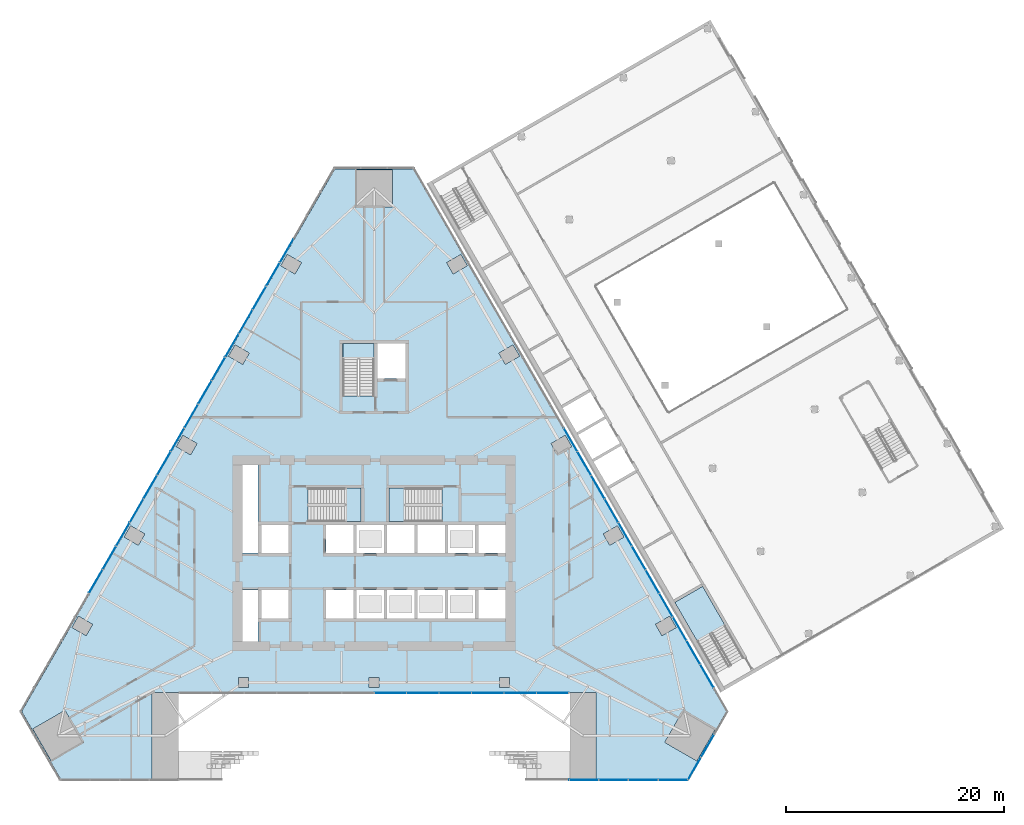
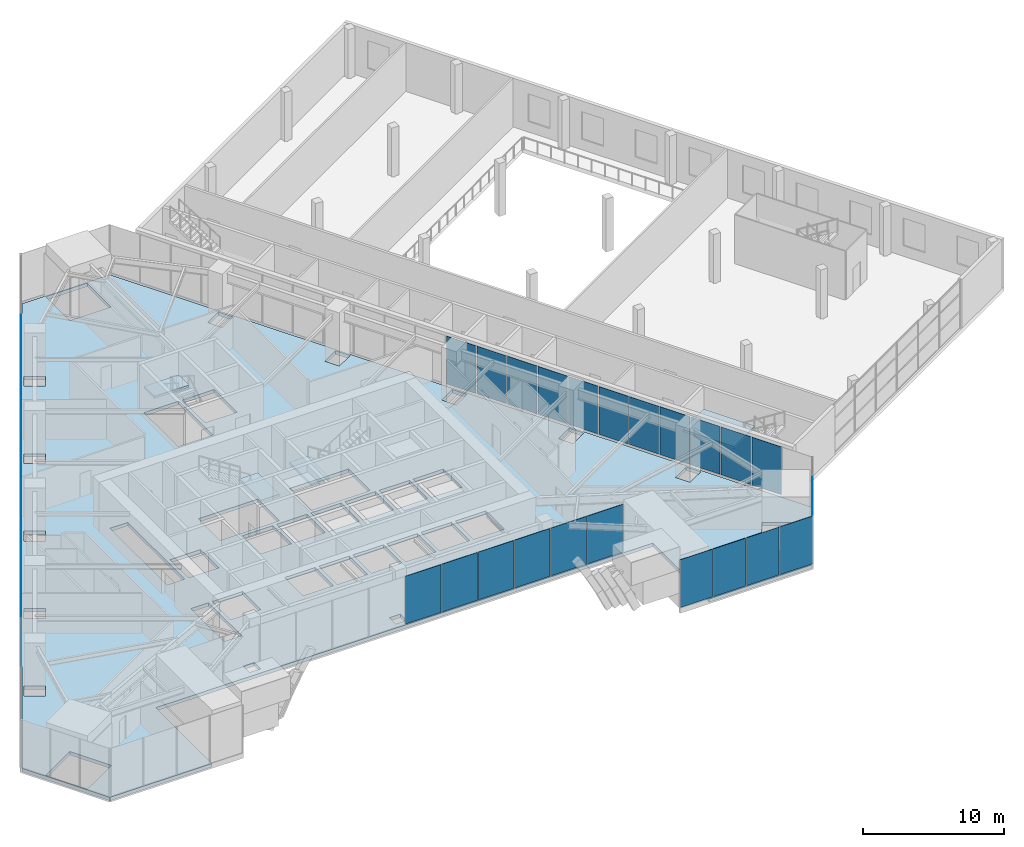
# One storey, part 15 of 30: 38 plates, 5 slabs, 9 elements without a shape of their own.
"""IFC4 building model written with IfcOpenShell, lengths in metres."""

from ifc_helpers import new_model, si_unit, direction, frame, origin, place, context, subcontext, project, spatial, polyline, outline, extrude, material, layer, layer_set, type_object, element, aggregate, save


model = new_model("IFC4")

# Units and contexts
model_context = context("Model", 3, precision=1e-05, world=origin(), true_north=direction((0.0, 1.0)))
body_context = subcontext(model_context, "Body", "Model", "MODEL_VIEW")
ifc_project = project(units=[si_unit("LENGTHUNIT", "METRE"), si_unit("AREAUNIT", "SQUARE_METRE"), si_unit("VOLUMEUNIT", "CUBIC_METRE"), si_unit("PLANEANGLEUNIT", "RADIAN"), si_unit("MASSUNIT", "GRAM", prefix="KILO")], contexts=[model_context])

# Site, building, storey
site_placement = place(None, origin())
site = spatial("IfcSite", under=ifc_project, at=site_placement, CompositionType="ELEMENT")
building_placement = place(site_placement, origin())
building = spatial("IfcBuilding", under=site, at=building_placement, Name="Firuza Gate Tower and Library", CompositionType="ELEMENT")
storey_placement = place(building_placement, frame((0.0, 0.0, 12.60009765625)))
storey = spatial("IfcBuildingStorey", under=building, at=storey_placement, Name="L02", CompositionType="ELEMENT", Elevation=12.60009765625)

# Curtain wall, plates
ifc_material_1 = material(Name="Aluminium 6063-T6", Category="aluminium")
ifc_layer_1 = layer(ifc_material_1, 0.14990234375)
ifc_layer_set_1 = layer_set([ifc_layer_1], Name="Stick curtain wall, gate lobby")
curtain_wall_type_1 = type_object("IfcCurtainWallType", Name="Stick curtain wall, gate lobby", PredefinedType="NOTDEFINED", material=ifc_layer_set_1)
placement_1 = place(storey_placement, origin())
curtain_wall_1 = element("IfcCurtainWall", 1, at=placement_1, inside=storey, type_object=curtain_wall_type_1, Name="CW7 L02 gate lobby", PredefinedType="NOTDEFINED")
ifc_material_2 = material(Name="Fritted glass", Category="glass")
ifc_layer_2 = layer(ifc_material_2, 0.030029296875)
ifc_layer_set_2 = layer_set([ifc_layer_2], Name="Clear glass unit, podium")
plate_type = type_object("IfcPlateType", Name="Clear glass unit, podium", PredefinedType="CURTAIN_PANEL", material=ifc_layer_set_2)
plate_1_placement = place(storey_placement, frame((75.0400390625, 62.12548828125, 0.14990234375), z_axis=(0.0, -1.0, 0.0), x_axis=(1.0, 0.0, 0.0)))
plate_1 = element("IfcPlate", 2, at=plate_1_placement, type_object=plate_type, Name="Glass unit", PredefinedType="CURTAIN_PANEL", context=body_context, shape_type="SweptSolid", body=[
    extrude(outline(polyline([(0.0, 0.0), (2.907470703125, 0.0), (2.907470703125, 4.14990234375), (0.0, 4.14990234375), (0.0, 0.0)])), origin(), (0.0, 0.0, -1.0), 0.030029296875),
])
plate_2_placement = place(storey_placement, frame((78.027587890625, 62.12548828125, 0.14990234375), z_axis=(0.0, -1.0, 0.0), x_axis=(1.0, 0.0, 0.0)))
plate_2 = element("IfcPlate", 3, at=plate_2_placement, type_object=plate_type, Name="Glass unit", PredefinedType="CURTAIN_PANEL", context=body_context, shape_type="SweptSolid", body=[
    extrude(outline(polyline([(0.0, 0.0), (2.907470703125, 0.0), (2.907470703125, 4.14990234375), (0.0, 4.14990234375), (0.0, 0.0)])), origin(), (0.0, 0.0, -1.0), 0.030029296875),
])
plate_3_placement = place(storey_placement, frame((81.014892578125, 62.12548828125, 0.14990234375), z_axis=(0.0, -1.0, 0.0), x_axis=(1.0, 0.0, 0.0)))
plate_3 = element("IfcPlate", 4, at=plate_3_placement, type_object=plate_type, Name="Glass unit", PredefinedType="CURTAIN_PANEL", context=body_context, shape_type="SweptSolid", body=[
    extrude(outline(polyline([(0.0, 0.0), (2.90771484375, 0.0), (2.90771484375, 4.14990234375), (0.0, 4.14990234375), (0.0, 0.0)])), origin(), (0.0, 0.0, -1.0), 0.030029296875),
])
plate_4_placement = place(storey_placement, frame((84.00244140625, 62.12548828125, 0.14990234375), z_axis=(0.0, -1.0, 0.0), x_axis=(1.0, 0.0, 0.0)))
plate_4 = element("IfcPlate", 5, at=plate_4_placement, type_object=plate_type, Name="Glass unit", PredefinedType="CURTAIN_PANEL", context=body_context, shape_type="SweptSolid", body=[
    extrude(outline(polyline([(0.0, 0.0), (2.907470703125, 0.0), (2.907470703125, 4.14990234375), (0.0, 4.14990234375), (0.0, 0.0)])), origin(), (0.0, 0.0, -1.0), 0.030029296875),
])
plate_5_placement = place(storey_placement, frame((86.989990234375, 62.12548828125, 0.14990234375), z_axis=(0.0, -1.0, 0.0), x_axis=(1.0, 0.0, 0.0)))
plate_5 = element("IfcPlate", 6, at=plate_5_placement, type_object=plate_type, Name="Glass unit", PredefinedType="CURTAIN_PANEL", context=body_context, shape_type="SweptSolid", body=[
    extrude(outline(polyline([(0.0, 0.0), (2.907470703125, 0.0), (2.907470703125, 4.14990234375), (0.0, 4.14990234375), (0.0, 0.0)])), origin(), (0.0, 0.0, -1.0), 0.030029296875),
])
plate_6_placement = place(storey_placement, frame((89.9775390625, 62.12548828125, 0.14990234375), z_axis=(0.0, -1.0, 0.0), x_axis=(1.0, 0.0, 0.0)))
plate_6 = element("IfcPlate", 7, at=plate_6_placement, type_object=plate_type, Name="Glass unit", PredefinedType="CURTAIN_PANEL", context=body_context, shape_type="SweptSolid", body=[
    extrude(outline(polyline([(0.0, 0.0), (2.907470703125, 0.0), (2.907470703125, 4.14990234375), (0.0, 4.14990234375), (0.0, 0.0)])), origin(), (0.0, 0.0, -1.0), 0.030029296875),
])
aggregate(curtain_wall_1, [plate_1, plate_2, plate_3, plate_4, plate_5, plate_6])

ifc_material_3 = material(Name="Aluminium 6063-T6", Category="aluminium")
ifc_layer_3 = layer(ifc_material_3, 0.14990234375)
ifc_layer_set_3 = layer_set([ifc_layer_3], Name="Stick curtain wall, podium")
curtain_wall_type_2 = type_object("IfcCurtainWallType", Name="Stick curtain wall, podium", PredefinedType="NOTDEFINED", material=ifc_layer_set_3)
curtain_wall_2 = element("IfcCurtainWall", 8, at=placement_1, inside=storey, type_object=curtain_wall_type_2, Name="CW5 L02 S", PredefinedType="NOTDEFINED")
plate_7_placement = place(storey_placement, frame((92.965087890625, 54.12548828125, 0.14990234375), z_axis=(0.0, -1.0, 0.0), x_axis=(1.0, 0.0, 0.0)))
plate_7 = element("IfcPlate", 9, at=plate_7_placement, type_object=plate_type, Name="Glass unit", PredefinedType="CURTAIN_PANEL", context=body_context, shape_type="SweptSolid", body=[
    extrude(outline(polyline([(0.0, 0.0), (2.6494140625, 0.0), (2.6494140625, 4.14990234375), (0.0, 4.14990234375), (0.0, 0.0)])), origin(), (0.0, 0.0, -1.0), 0.030029296875),
])
plate_8_placement = place(storey_placement, frame((95.694580078125, 54.12548828125, 0.14990234375), z_axis=(0.0, -1.0, 0.0), x_axis=(1.0, 0.0, 0.0)))
plate_8 = element("IfcPlate", 10, at=plate_8_placement, type_object=plate_type, Name="Glass unit", PredefinedType="CURTAIN_PANEL", context=body_context, shape_type="SweptSolid", body=[
    extrude(outline(polyline([(0.0, 0.0), (2.649658203125, 0.0), (2.649658203125, 4.14990234375), (0.0, 4.14990234375), (0.0, 0.0)])), origin(), (0.0, 0.0, -1.0), 0.030029296875),
])
plate_9_placement = place(storey_placement, frame((98.424072265625, 54.12548828125, 0.14990234375), z_axis=(0.0, -1.0, 0.0), x_axis=(1.0, 0.0, 0.0)))
plate_9 = element("IfcPlate", 11, at=plate_9_placement, type_object=plate_type, Name="Glass unit", PredefinedType="CURTAIN_PANEL", context=body_context, shape_type="SweptSolid", body=[
    extrude(outline(polyline([(0.0, 0.0), (2.649658203125, 0.0), (2.649658203125, 4.14990234375), (0.0, 4.14990234375), (0.0, 0.0)])), origin(), (0.0, 0.0, -1.0), 0.030029296875),
])
plate_10_placement = place(storey_placement, frame((101.15380859375, 54.12548828125, 0.14990234375), z_axis=(0.0, -1.0, 0.0), x_axis=(1.0, 0.0, 0.0)))
plate_10 = element("IfcPlate", 12, at=plate_10_placement, type_object=plate_type, Name="Glass unit", PredefinedType="CURTAIN_PANEL", context=body_context, shape_type="SweptSolid", body=[
    extrude(outline(polyline([(0.0, 0.0), (2.6494140625, 0.0), (2.6494140625, 4.14990234375), (0.0, 4.14990234375), (0.0, 0.0)])), origin(), (0.0, 0.0, -1.0), 0.030029296875),
])
aggregate(curtain_wall_2, [plate_7, plate_8, plate_9, plate_10])

curtain_wall_3 = element("IfcCurtainWall", 13, at=placement_1, inside=storey, type_object=curtain_wall_type_2, Name="CW5 L02 SE", PredefinedType="NOTDEFINED")
plate_11_placement = place(storey_placement, frame((103.876220703125, 54.16748046875, 0.14990234375), z_axis=(0.866002109674, -0.500040344412, 0.0), x_axis=(0.500040344412, 0.866002109674, 0.0)))
plate_11 = element("IfcPlate", 14, at=plate_11_placement, type_object=plate_type, Name="Glass unit", PredefinedType="CURTAIN_PANEL", context=body_context, shape_type="SweptSolid", body=[
    extrude(outline(polyline([(0.0, 0.0), (2.348931561223719, 0.0), (2.348931561223719, 4.14990234375), (0.0, 4.14990234375), (0.0, 0.0)])), origin(), (0.0, 0.0, -1.0), 0.030029296875),
])
plate_12_placement = place(storey_placement, frame((105.0908203125, 56.27099609375, 0.14990234375), z_axis=(0.866047116916, -0.499962389866, 0.0), x_axis=(0.499962389866, 0.866047116916, 0.0)))
plate_12 = element("IfcPlate", 15, at=plate_12_placement, type_object=plate_type, Name="Glass unit", PredefinedType="CURTAIN_PANEL", context=body_context, shape_type="SweptSolid", body=[
    extrude(outline(polyline([(0.0, 0.0), (2.3488094905771977, 0.0), (2.3488094905771977, 4.149902343750001), (0.0, 4.149902343750001), (0.0, 0.0)])), origin(), (0.0, 0.0, -1.0), 0.030029296875),
])
aggregate(curtain_wall_3, [plate_11, plate_12])

curtain_wall_4 = element("IfcCurtainWall", 16, at=placement_1, inside=storey, type_object=curtain_wall_type_2, Name="CW5 L02 E", PredefinedType="NOTDEFINED")
plate_13_placement = place(storey_placement, frame((106.2255859375, 62.6650390625, 0.14990234375), z_axis=(0.866013120021, 0.500021275498, 0.0), x_axis=(-0.500021275498, 0.866013120021, 0.0)))
plate_13 = element("IfcPlate", 17, at=plate_13_placement, type_object=plate_type, Name="Glass unit", PredefinedType="CURTAIN_PANEL", context=body_context, shape_type="SweptSolid", body=[
    extrude(outline(polyline([(0.0, 0.0), (2.428119337352694, 0.0), (2.428119337352694, 4.149902343749999), (0.0, 4.149902343749999), (0.0, 0.0)])), origin(), (0.0, 0.0, -1.0), 0.030029296875),
])
plate_14_placement = place(storey_placement, frame((104.971435546875, 64.837158203125, 0.14990234375), z_axis=(0.866013120021, 0.500021275498, 0.0), x_axis=(-0.500021275498, 0.866013120021, 0.0)))
plate_14 = element("IfcPlate", 18, at=plate_14_placement, type_object=plate_type, Name="Glass unit", PredefinedType="CURTAIN_PANEL", context=body_context, shape_type="SweptSolid", body=[
    extrude(outline(polyline([(0.0, 0.0), (2.428119337352694, 0.0), (2.428119337352694, 4.149902343749999), (0.0, 4.149902343749999), (0.0, 0.0)])), origin(), (0.0, 0.0, -1.0), 0.030029296875),
])
plate_15_placement = place(storey_placement, frame((103.717529296875, 67.00927734375, 0.14990234375), z_axis=(0.866013120021, 0.500021275498, 0.0), x_axis=(-0.500021275498, 0.866013120021, 0.0)))
plate_15 = element("IfcPlate", 19, at=plate_15_placement, type_object=plate_type, Name="Glass unit", PredefinedType="CURTAIN_PANEL", context=body_context, shape_type="SweptSolid", body=[
    extrude(outline(polyline([(0.0, 0.0), (2.428119337352694, 0.0), (2.428119337352694, 4.149902343749999), (0.0, 4.149902343749999), (0.0, 0.0)])), origin(), (0.0, 0.0, -1.0), 0.030029296875),
])
plate_16_placement = place(storey_placement, frame((102.46337890625, 69.18115234375, 0.14990234375), z_axis=(0.86603825568, 0.499977739203, 0.0), x_axis=(-0.499977739203, 0.86603825568, 0.0)))
plate_16 = element("IfcPlate", 20, at=plate_16_placement, type_object=plate_type, Name="Glass unit", PredefinedType="CURTAIN_PANEL", context=body_context, shape_type="SweptSolid", body=[
    extrude(outline(polyline([(0.0, 0.0), (2.428330769405526, 0.0), (2.428330769405526, 4.14990234375), (0.0, 4.14990234375), (0.0, 0.0)])), origin(), (0.0, 0.0, -1.0), 0.030029296875),
])
plate_17_placement = place(storey_placement, frame((101.209228515625, 71.353271484375, 0.14990234375), z_axis=(0.866056658381, 0.499945861543, 0.0), x_axis=(-0.499945861543, 0.866056658381, 0.0)))
plate_17 = element("IfcPlate", 21, at=plate_17_placement, type_object=plate_type, Name="Glass unit", PredefinedType="CURTAIN_PANEL", context=body_context, shape_type="SweptSolid", body=[
    extrude(outline(polyline([(0.0, 0.0), (2.4279972710515545, 0.0), (2.4279972710515545, 4.14990234375), (0.0, 4.14990234375), (0.0, 0.0)])), origin(), (0.0, 0.0, -1.0), 0.030029296875),
])
plate_18_placement = place(storey_placement, frame((99.955322265625, 73.525390625, 0.14990234375), z_axis=(0.866013120021, 0.500021275498, 0.0), x_axis=(-0.500021275498, 0.866013120021, 0.0)))
plate_18 = element("IfcPlate", 22, at=plate_18_placement, type_object=plate_type, Name="Glass unit", PredefinedType="CURTAIN_PANEL", context=body_context, shape_type="SweptSolid", body=[
    extrude(outline(polyline([(0.0, 0.0), (2.428119337352694, 0.0), (2.428119337352694, 4.149902343749999), (0.0, 4.149902343749999), (0.0, 0.0)])), origin(), (0.0, 0.0, -1.0), 0.030029296875),
])
plate_19_placement = place(storey_placement, frame((98.701171875, 75.697509765625, 0.14990234375), z_axis=(0.866013120021, 0.500021275498, 0.0), x_axis=(-0.500021275498, 0.866013120021, 0.0)))
plate_19 = element("IfcPlate", 23, at=plate_19_placement, type_object=plate_type, Name="Glass unit", PredefinedType="CURTAIN_PANEL", context=body_context, shape_type="SweptSolid", body=[
    extrude(outline(polyline([(0.0, 0.0), (2.428119337352694, 0.0), (2.428119337352694, 4.149902343749999), (0.0, 4.149902343749999), (0.0, 0.0)])), origin(), (0.0, 0.0, -1.0), 0.030029296875),
])
plate_20_placement = place(storey_placement, frame((97.447021484375, 77.86962890625, 0.14990234375), z_axis=(0.866056658381, 0.499945861543, 0.0), x_axis=(-0.499945861543, 0.866056658381, 0.0)))
plate_20 = element("IfcPlate", 24, at=plate_20_placement, type_object=plate_type, Name="Glass unit", PredefinedType="CURTAIN_PANEL", context=body_context, shape_type="SweptSolid", body=[
    extrude(outline(polyline([(0.0, 0.0), (2.4279972710515545, 0.0), (2.4279972710515545, 4.14990234375), (0.0, 4.14990234375), (0.0, 0.0)])), origin(), (0.0, 0.0, -1.0), 0.030029296875),
])
plate_21_placement = place(storey_placement, frame((96.193115234375, 80.041748046875, 0.14990234375), z_axis=(0.866013120021, 0.500021275498, 0.0), x_axis=(-0.500021275498, 0.866013120021, 0.0)))
plate_21 = element("IfcPlate", 25, at=plate_21_placement, type_object=plate_type, Name="Glass unit", PredefinedType="CURTAIN_PANEL", context=body_context, shape_type="SweptSolid", body=[
    extrude(outline(polyline([(0.0, 0.0), (2.428119337352694, 0.0), (2.428119337352694, 4.149902343749999), (0.0, 4.149902343749999), (0.0, 0.0)])), origin(), (0.0, 0.0, -1.0), 0.030029296875),
])
plate_22_placement = place(storey_placement, frame((94.93896484375, 82.2138671875, 0.14990234375), z_axis=(0.866013120021, 0.500021275498, 0.0), x_axis=(-0.500021275498, 0.866013120021, 0.0)))
plate_22 = element("IfcPlate", 26, at=plate_22_placement, type_object=plate_type, Name="Glass unit", PredefinedType="CURTAIN_PANEL", context=body_context, shape_type="SweptSolid", body=[
    extrude(outline(polyline([(0.0, 0.0), (2.428119337352694, 0.0), (2.428119337352694, 4.149902343749999), (0.0, 4.149902343749999), (0.0, 0.0)])), origin(), (0.0, 0.0, -1.0), 0.030029296875),
])
plate_23_placement = place(storey_placement, frame((93.68505859375, 84.385986328125, 0.14990234375), z_axis=(0.866013120021, 0.500021275498, 0.0), x_axis=(-0.500021275498, 0.866013120021, 0.0)))
plate_23 = element("IfcPlate", 27, at=plate_23_placement, type_object=plate_type, Name="Glass unit", PredefinedType="CURTAIN_PANEL", context=body_context, shape_type="SweptSolid", body=[
    extrude(outline(polyline([(0.0, 0.0), (2.428119337352694, 0.0), (2.428119337352694, 4.149902343749999), (0.0, 4.149902343749999), (0.0, 0.0)])), origin(), (0.0, 0.0, -1.0), 0.030029296875),
])
aggregate(curtain_wall_4, [plate_13, plate_14, plate_15, plate_16, plate_17, plate_18, plate_19, plate_20, plate_21, plate_22, plate_23])

curtain_wall_5 = element("IfcCurtainWall", 28, at=placement_1, inside=storey, type_object=curtain_wall_type_2, Name="CW5 L02 W", PredefinedType="NOTDEFINED")
plate_24_placement = place(storey_placement, frame((67.5615234375, 103.865478515625, 0.14990234375), z_axis=(-0.866013120021, 0.500021275498, 0.0), x_axis=(-0.500021275498, -0.866013120021, 0.0)))
plate_24 = element("IfcPlate", 29, at=plate_24_placement, type_object=plate_type, Name="Glass unit", PredefinedType="CURTAIN_PANEL", context=body_context, shape_type="SweptSolid", body=[
    extrude(outline(polyline([(0.0, 0.0), (2.428119337352694, 0.0), (2.428119337352694, 4.149902343749999), (0.0, 4.149902343749999), (0.0, 0.0)])), origin(), (0.0, 0.0, -1.0), 0.030029296875),
])
plate_25_placement = place(storey_placement, frame((66.307373046875, 101.693359375, 0.14990234375), z_axis=(-0.866056658381, 0.499945861543, 0.0), x_axis=(-0.499945861543, -0.866056658381, 0.0)))
plate_25 = element("IfcPlate", 30, at=plate_25_placement, type_object=plate_type, Name="Glass unit", PredefinedType="CURTAIN_PANEL", context=body_context, shape_type="SweptSolid", body=[
    extrude(outline(polyline([(0.0, 0.0), (2.4279972710515545, 0.0), (2.4279972710515545, 4.14990234375), (0.0, 4.14990234375), (0.0, 0.0)])), origin(), (0.0, 0.0, -1.0), 0.030029296875),
])
plate_26_placement = place(storey_placement, frame((65.053466796875, 99.521240234375, 0.14990234375), z_axis=(-0.866013120021, 0.500021275498, 0.0), x_axis=(-0.500021275498, -0.866013120021, 0.0)))
plate_26 = element("IfcPlate", 31, at=plate_26_placement, type_object=plate_type, Name="Glass unit", PredefinedType="CURTAIN_PANEL", context=body_context, shape_type="SweptSolid", body=[
    extrude(outline(polyline([(0.0, 0.0), (2.428119337352694, 0.0), (2.428119337352694, 4.149902343749999), (0.0, 4.149902343749999), (0.0, 0.0)])), origin(), (0.0, 0.0, -1.0), 0.030029296875),
])
plate_27_placement = place(storey_placement, frame((63.79931640625, 97.34912109375, 0.14990234375), z_axis=(-0.866013120021, 0.500021275498, 0.0), x_axis=(-0.500021275498, -0.866013120021, 0.0)))
plate_27 = element("IfcPlate", 32, at=plate_27_placement, type_object=plate_type, Name="Glass unit", PredefinedType="CURTAIN_PANEL", context=body_context, shape_type="SweptSolid", body=[
    extrude(outline(polyline([(0.0, 0.0), (2.428119337352694, 0.0), (2.428119337352694, 4.149902343749999), (0.0, 4.149902343749999), (0.0, 0.0)])), origin(), (0.0, 0.0, -1.0), 0.030029296875),
])
plate_28_placement = place(storey_placement, frame((62.54541015625, 95.177001953125, 0.14990234375), z_axis=(-0.866013120021, 0.500021275498, 0.0), x_axis=(-0.500021275498, -0.866013120021, 0.0)))
plate_28 = element("IfcPlate", 33, at=plate_28_placement, type_object=plate_type, Name="Glass unit", PredefinedType="CURTAIN_PANEL", context=body_context, shape_type="SweptSolid", body=[
    extrude(outline(polyline([(0.0, 0.0), (2.428119337352694, 0.0), (2.428119337352694, 4.149902343749999), (0.0, 4.149902343749999), (0.0, 0.0)])), origin(), (0.0, 0.0, -1.0), 0.030029296875),
])
plate_29_placement = place(storey_placement, frame((61.291259765625, 93.0048828125, 0.14990234375), z_axis=(-0.866013120021, 0.500021275498, 0.0), x_axis=(-0.500021275498, -0.866013120021, 0.0)))
plate_29 = element("IfcPlate", 34, at=plate_29_placement, type_object=plate_type, Name="Glass unit", PredefinedType="CURTAIN_PANEL", context=body_context, shape_type="SweptSolid", body=[
    extrude(outline(polyline([(0.0, 0.0), (2.428119337352694, 0.0), (2.428119337352694, 4.149902343749999), (0.0, 4.149902343749999), (0.0, 0.0)])), origin(), (0.0, 0.0, -1.0), 0.030029296875),
])
plate_30_placement = place(storey_placement, frame((60.037109375, 90.8330078125, 0.14990234375), z_axis=(-0.866081787721, 0.499902327438, 0.0), x_axis=(-0.499902327438, -0.866081787721, 0.0)))
plate_30 = element("IfcPlate", 35, at=plate_30_placement, type_object=plate_type, Name="Glass unit", PredefinedType="CURTAIN_PANEL", context=body_context, shape_type="SweptSolid", body=[
    extrude(outline(polyline([(0.0, 0.0), (2.428208713733097, 0.0), (2.428208713733097, 4.14990234375), (0.0, 4.14990234375), (0.0, 0.0)])), origin(), (0.0, 0.0, -1.0), 0.030029296875),
])
plate_31_placement = place(storey_placement, frame((58.783203125, 88.660888671875, 0.14990234375), z_axis=(-0.866013120021, 0.500021275498, 0.0), x_axis=(-0.500021275498, -0.866013120021, 0.0)))
plate_31 = element("IfcPlate", 36, at=plate_31_placement, type_object=plate_type, Name="Glass unit", PredefinedType="CURTAIN_PANEL", context=body_context, shape_type="SweptSolid", body=[
    extrude(outline(polyline([(0.0, 0.0), (2.428119337352694, 0.0), (2.428119337352694, 4.149902343749999), (0.0, 4.149902343749999), (0.0, 0.0)])), origin(), (0.0, 0.0, -1.0), 0.030029296875),
])
plate_32_placement = place(storey_placement, frame((57.529052734375, 86.48876953125, 0.14990234375), z_axis=(-0.866013120021, 0.500021275498, 0.0), x_axis=(-0.500021275498, -0.866013120021, 0.0)))
plate_32 = element("IfcPlate", 37, at=plate_32_placement, type_object=plate_type, Name="Glass unit", PredefinedType="CURTAIN_PANEL", context=body_context, shape_type="SweptSolid", body=[
    extrude(outline(polyline([(0.0, 0.0), (2.428119337352694, 0.0), (2.428119337352694, 4.149902343749999), (0.0, 4.149902343749999), (0.0, 0.0)])), origin(), (0.0, 0.0, -1.0), 0.030029296875),
])
plate_33_placement = place(storey_placement, frame((56.275146484375, 84.316650390625, 0.14990234375), z_axis=(-0.866013120021, 0.500021275498, 0.0), x_axis=(-0.500021275498, -0.866013120021, 0.0)))
plate_33 = element("IfcPlate", 38, at=plate_33_placement, type_object=plate_type, Name="Glass unit", PredefinedType="CURTAIN_PANEL", context=body_context, shape_type="SweptSolid", body=[
    extrude(outline(polyline([(0.0, 0.0), (2.428119337352694, 0.0), (2.428119337352694, 4.149902343749999), (0.0, 4.149902343749999), (0.0, 0.0)])), origin(), (0.0, 0.0, -1.0), 0.030029296875),
])
plate_34_placement = place(storey_placement, frame((55.02099609375, 82.14453125, 0.14990234375), z_axis=(-0.866013120021, 0.500021275498, 0.0), x_axis=(-0.500021275498, -0.866013120021, 0.0)))
plate_34 = element("IfcPlate", 39, at=plate_34_placement, type_object=plate_type, Name="Glass unit", PredefinedType="CURTAIN_PANEL", context=body_context, shape_type="SweptSolid", body=[
    extrude(outline(polyline([(0.0, 0.0), (2.428119337352694, 0.0), (2.428119337352694, 4.149902343749999), (0.0, 4.149902343749999), (0.0, 0.0)])), origin(), (0.0, 0.0, -1.0), 0.030029296875),
])
plate_35_placement = place(storey_placement, frame((53.766845703125, 79.972412109375, 0.14990234375), z_axis=(-0.866056658381, 0.499945861543, 0.0), x_axis=(-0.499945861543, -0.866056658381, 0.0)))
plate_35 = element("IfcPlate", 40, at=plate_35_placement, type_object=plate_type, Name="Glass unit", PredefinedType="CURTAIN_PANEL", context=body_context, shape_type="SweptSolid", body=[
    extrude(outline(polyline([(0.0, 0.0), (2.4279972710515545, 0.0), (2.4279972710515545, 4.14990234375), (0.0, 4.14990234375), (0.0, 0.0)])), origin(), (0.0, 0.0, -1.0), 0.030029296875),
])
plate_36_placement = place(storey_placement, frame((52.512939453125, 77.80029296875, 0.14990234375), z_axis=(-0.866013120021, 0.500021275498, 0.0), x_axis=(-0.500021275498, -0.866013120021, 0.0)))
plate_36 = element("IfcPlate", 41, at=plate_36_placement, type_object=plate_type, Name="Glass unit", PredefinedType="CURTAIN_PANEL", context=body_context, shape_type="SweptSolid", body=[
    extrude(outline(polyline([(0.0, 0.0), (2.428119337352694, 0.0), (2.428119337352694, 4.149902343749999), (0.0, 4.149902343749999), (0.0, 0.0)])), origin(), (0.0, 0.0, -1.0), 0.030029296875),
])
plate_37_placement = place(storey_placement, frame((51.2587890625, 75.628173828125, 0.14990234375), z_axis=(-0.866013120021, 0.500021275498, 0.0), x_axis=(-0.500021275498, -0.866013120021, 0.0)))
plate_37 = element("IfcPlate", 42, at=plate_37_placement, type_object=plate_type, Name="Glass unit", PredefinedType="CURTAIN_PANEL", context=body_context, shape_type="SweptSolid", body=[
    extrude(outline(polyline([(0.0, 0.0), (2.428119337352694, 0.0), (2.428119337352694, 4.149902343749999), (0.0, 4.149902343749999), (0.0, 0.0)])), origin(), (0.0, 0.0, -1.0), 0.030029296875),
])
plate_38_placement = place(storey_placement, frame((50.004638671875, 73.4560546875, 0.14990234375), z_axis=(-0.866056658381, 0.499945861543, 0.0), x_axis=(-0.499945861543, -0.866056658381, 0.0)))
plate_38 = element("IfcPlate", 43, at=plate_38_placement, type_object=plate_type, Name="Glass unit", PredefinedType="CURTAIN_PANEL", context=body_context, shape_type="SweptSolid", body=[
    extrude(outline(polyline([(0.0, 0.0), (2.4279972710515545, 0.0), (2.4279972710515545, 4.14990234375), (0.0, 4.14990234375), (0.0, 0.0)])), origin(), (0.0, 0.0, -1.0), 0.030029296875),
])
aggregate(curtain_wall_5, [plate_24, plate_25, plate_26, plate_27, plate_28, plate_29, plate_30, plate_31, plate_32, plate_33, plate_34, plate_35, plate_36, plate_37, plate_38])

# Slab
ifc_material_4 = material(Name="Concrete C40/50", Category="concrete")
ifc_layer_4 = layer(ifc_material_4, 0.300048828125)
ifc_layer_set_4 = layer_set([ifc_layer_4], Name="Composite floor slab 300 C40/50")
slab_type_1 = type_object("IfcSlabType", Name="Composite floor slab 300 C40/50", PredefinedType="FLOOR", material=ifc_layer_set_4)
slab_1_placement = place(storey_placement, frame((0.0, 0.0, -0.300048828125)))
element("IfcSlab", 44, at=slab_1_placement, inside=storey, type_object=slab_type_1, Name="Floor slab L02", PredefinedType="FLOOR", context=body_context, shape_type="SweptSolid", body=[
    extrude(outline(polyline([(46.199951171875, 54.21533203125), (54.60009765625, 54.21533203125), (54.60009765625, 62.21533203125), (57.0, 62.21533203125), (93.0, 62.21533203125), (95.39990234375, 62.21533203125), (95.39990234375, 54.21533203125), (103.800048828125, 54.21533203125), (107.39990234375, 60.45068359375), (78.60009765625, 110.333740234375), (71.39990234375, 110.333740234375), (42.60009765625, 60.45068359375), (46.199951171875, 54.21533203125)]), holes=[polyline([(43.63671875, 58.855224609375), (46.5810546875, 60.555419921875), (48.281005859375, 57.61083984375), (45.336669921875, 55.910888671875), (43.63671875, 58.855224609375)]), polyline([(74.550048828125, 62.665283203125), (74.550048828125, 63.5654296875), (75.449951171875, 63.5654296875), (75.449951171875, 62.665283203125), (74.550048828125, 62.665283203125)]), polyline([(62.550048828125, 62.665283203125), (62.550048828125, 63.5654296875), (63.449951171875, 63.5654296875), (63.449951171875, 62.665283203125), (62.550048828125, 62.665283203125)]), polyline([(47.829833984375, 69.209228515625), (49.12890625, 68.459228515625), (48.529052734375, 67.419921875), (47.22998046875, 68.169921875), (47.829833984375, 69.209228515625)]), polyline([(64.35009765625, 66.89990234375), (62.89990234375, 66.89990234375), (62.89990234375, 71.60009765625), (64.35009765625, 71.60009765625), (64.35009765625, 66.89990234375)]), polyline([(67.14990234375, 69.0), (64.64990234375, 69.0), (64.64990234375, 71.60009765625), (67.14990234375, 71.60009765625), (67.14990234375, 69.0)]), polyline([(70.60009765625, 69.0), (70.60009765625, 71.60009765625), (73.10009765625, 71.60009765625), (73.10009765625, 69.0), (70.60009765625, 69.0)]), polyline([(73.39990234375, 69.0), (73.39990234375, 71.60009765625), (75.89990234375, 71.60009765625), (75.89990234375, 69.0), (73.39990234375, 69.0)]), polyline([(67.14990234375, 75.0), (64.64990234375, 75.0), (64.64990234375, 77.60009765625), (67.14990234375, 77.60009765625), (67.14990234375, 75.0)]), polyline([(73.10009765625, 75.0), (70.60009765625, 75.0), (70.60009765625, 77.60009765625), (73.10009765625, 77.60009765625), (73.10009765625, 75.0)]), polyline([(75.89990234375, 75.0), (73.39990234375, 75.0), (73.39990234375, 77.60009765625), (75.89990234375, 77.60009765625), (75.89990234375, 75.0)]), polyline([(53.928955078125, 76.773193359375), (53.328857421875, 75.73388671875), (52.02978515625, 76.48388671875), (52.6298828125, 77.523193359375), (53.928955078125, 76.773193359375)]), polyline([(62.89990234375, 75.0), (62.89990234375, 83.10009765625), (64.35009765625, 83.10009765625), (64.35009765625, 75.0), (62.89990234375, 75.0)]), polyline([(73.81005859375, 77.89990234375), (68.9404296875, 77.89990234375), (68.9404296875, 80.97998046875), (73.81005859375, 80.97998046875), (73.81005859375, 77.89990234375)]), polyline([(57.429931640625, 85.8369140625), (58.72900390625, 85.0869140625), (58.12890625, 84.047607421875), (56.829833984375, 84.797607421875), (57.429931640625, 85.8369140625)]), polyline([(72.159912109375, 89.470458984375), (72.159912109375, 94.300048828125), (75.0, 94.300048828125), (75.0, 89.470458984375), (72.159912109375, 89.470458984375)]), polyline([(63.529052734375, 93.40087890625), (62.928955078125, 92.361572265625), (61.6298828125, 93.111572265625), (62.22998046875, 94.15087890625), (63.529052734375, 93.40087890625)]), polyline([(68.328857421875, 101.714599609375), (67.72900390625, 100.67529296875), (66.429931640625, 101.42529296875), (67.02978515625, 102.464599609375), (68.328857421875, 101.714599609375)]), polyline([(104.663330078125, 55.910888671875), (101.718994140625, 57.61083984375), (103.4189453125, 60.555419921875), (106.36328125, 58.855224609375), (104.663330078125, 55.910888671875)]), polyline([(86.550048828125, 62.665283203125), (86.550048828125, 63.5654296875), (87.449951171875, 63.5654296875), (87.449951171875, 62.665283203125), (86.550048828125, 62.665283203125)]), polyline([(102.77001953125, 68.169921875), (101.470947265625, 67.419921875), (100.87109375, 68.459228515625), (102.170166015625, 69.209228515625), (102.77001953125, 68.169921875)]), polyline([(84.300048828125, 69.0), (81.800048828125, 69.0), (81.800048828125, 71.60009765625), (84.300048828125, 71.60009765625), (84.300048828125, 69.0)]), polyline([(87.10009765625, 69.0), (84.60009765625, 69.0), (84.60009765625, 71.60009765625), (87.10009765625, 71.60009765625), (87.10009765625, 69.0)]), polyline([(81.5, 69.0), (79.0, 69.0), (79.0, 71.60009765625), (81.5, 71.60009765625), (81.5, 69.0)]), polyline([(76.199951171875, 69.0), (76.199951171875, 71.60009765625), (78.699951171875, 71.60009765625), (78.699951171875, 69.0), (76.199951171875, 69.0)]), polyline([(81.800048828125, 75.0), (81.800048828125, 77.60009765625), (84.300048828125, 77.60009765625), (84.300048828125, 75.0), (81.800048828125, 75.0)]), polyline([(81.5, 75.0), (79.0, 75.0), (79.0, 77.60009765625), (81.5, 77.60009765625), (81.5, 75.0)]), polyline([(87.10009765625, 75.0), (84.60009765625, 75.0), (84.60009765625, 77.60009765625), (87.10009765625, 77.60009765625), (87.10009765625, 75.0)]), polyline([(78.699951171875, 75.0), (76.199951171875, 75.0), (76.199951171875, 77.60009765625), (78.699951171875, 77.60009765625), (78.699951171875, 75.0)]), polyline([(96.671142578125, 75.73388671875), (96.071044921875, 76.773193359375), (97.3701171875, 77.523193359375), (97.97021484375, 76.48388671875), (96.671142578125, 75.73388671875)]), polyline([(76.389892578125, 77.89990234375), (76.389892578125, 80.97998046875), (81.259521484375, 80.97998046875), (81.259521484375, 77.89990234375), (76.389892578125, 77.89990234375)]), polyline([(93.170166015625, 84.797607421875), (91.87109375, 84.047607421875), (91.27099609375, 85.0869140625), (92.570068359375, 85.8369140625), (93.170166015625, 84.797607421875)]), polyline([(77.89990234375, 91.050048828125), (75.300048828125, 91.050048828125), (75.300048828125, 94.300048828125), (77.89990234375, 94.300048828125), (77.89990234375, 91.050048828125)]), polyline([(88.3701171875, 93.111572265625), (87.071044921875, 92.361572265625), (86.470947265625, 93.40087890625), (87.77001953125, 94.15087890625), (88.3701171875, 93.111572265625)]), polyline([(82.27099609375, 100.67529296875), (81.671142578125, 101.714599609375), (82.97021484375, 102.464599609375), (83.570068359375, 101.42529296875), (82.27099609375, 100.67529296875)]), polyline([(76.699951171875, 106.833740234375), (73.300048828125, 106.833740234375), (73.300048828125, 110.23388671875), (76.699951171875, 110.23388671875), (76.699951171875, 106.833740234375)])]), origin(), (0.0, 0.0, 1.0), 0.300048828125),
])

# Stair, slab
ifc_material_5 = material(Name="Concrete C40/50", Category="concrete")
stair_type_1 = type_object("IfcStairType", Name="LIB STAIR", PredefinedType="HALF_TURN_STAIR", material=ifc_material_5)
stair_1 = element("IfcStair", 45, at=placement_1, inside=storey, type_object=stair_type_1, Name="L02 Exit stair B", PredefinedType="HALF_TURN_STAIR")
ifc_material_6 = material(Name="Concrete C40/50", Category="concrete")
ifc_layer_5 = layer(ifc_material_6, 0.199951171875)
ifc_layer_set_5 = layer_set([ifc_layer_5], Name="LIB STAIR LANDING")
slab_type_2 = type_object("IfcSlabType", Name="LIB STAIR LANDING", PredefinedType="LANDING", material=ifc_layer_set_5)
placement_2 = place(storey_placement, frame((0.0, 0.0, 2.099853515625)))
slab_2 = element("IfcSlab", 46, at=placement_2, type_object=slab_type_2, Name="LIB-ST-B landing 1", PredefinedType="LANDING", context=body_context, shape_type="SweptSolid", body=[
    extrude(outline(polyline([(107.304443359375, 68.316162109375), (105.2041015625, 71.9541015625), (102.6494140625, 70.47900390625), (104.749755859375, 66.84130859375), (107.304443359375, 68.316162109375)])), origin(), (0.0, 0.0, 1.0), 0.199951171875),
])
aggregate(stair_1, [slab_2])

ifc_material_7 = material(Name="Concrete C35/45", Category="concrete")
stair_type_2 = type_object("IfcStairType", Name="Exit stair ST4", PredefinedType="HALF_TURN_STAIR", material=ifc_material_7)
stair_2 = element("IfcStair", 47, at=placement_1, inside=storey, type_object=stair_type_2, Name="L02 Stair ST1", PredefinedType="HALF_TURN_STAIR")
ifc_material_8 = material(Name="Concrete C35/45", Category="concrete")
ifc_layer_6 = layer(ifc_material_8, 0.199951171875)
ifc_layer_set_6 = layer_set([ifc_layer_6], Name="Stair landing 200")
slab_type_3 = type_object("IfcSlabType", Name="Stair landing 200", PredefinedType="LANDING", material=ifc_layer_set_6)
slab_3 = element("IfcSlab", 48, at=placement_2, type_object=slab_type_3, Name="ST1 landing 1", PredefinedType="LANDING", context=body_context, shape_type="SweptSolid", body=[
    extrude(outline(polyline([(72.300048828125, 77.89990234375), (73.81005859375, 77.89990234375), (73.81005859375, 80.97998046875), (72.300048828125, 80.97998046875), (72.300048828125, 77.89990234375)])), origin(), (0.0, 0.0, 1.0), 0.199951171875),
])
aggregate(stair_2, [slab_3])

stair_3 = element("IfcStair", 49, at=placement_1, inside=storey, type_object=stair_type_2, Name="L02 Stair ST2", PredefinedType="HALF_TURN_STAIR")
slab_4 = element("IfcSlab", 50, at=placement_2, type_object=slab_type_3, Name="ST2 landing 1", PredefinedType="LANDING", context=body_context, shape_type="SweptSolid", body=[
    extrude(outline(polyline([(77.89990234375, 80.97998046875), (76.389892578125, 80.97998046875), (76.389892578125, 77.89990234375), (77.89990234375, 77.89990234375), (77.89990234375, 80.97998046875)])), origin(), (0.0, 0.0, 1.0), 0.199951171875),
])
aggregate(stair_3, [slab_4])

ifc_material_9 = material(Name="Concrete C35/45", Category="concrete")
stair_type_3 = type_object("IfcStairType", Name="Exit stair ST13", PredefinedType="HALF_TURN_STAIR", material=ifc_material_9)
stair_4 = element("IfcStair", 51, at=placement_1, inside=storey, type_object=stair_type_3, Name="L02 Stair ST3", PredefinedType="HALF_TURN_STAIR")
slab_5 = element("IfcSlab", 52, at=placement_2, type_object=slab_type_3, Name="ST3 landing 1", PredefinedType="LANDING", context=body_context, shape_type="SweptSolid", body=[
    extrude(outline(polyline([(75.0, 92.830078125), (75.0, 94.300048828125), (72.159912109375, 94.300048828125), (72.159912109375, 92.830078125), (75.0, 92.830078125)])), origin(), (0.0, 0.0, 1.0), 0.199951171875),
])
aggregate(stair_4, [slab_5])

save(model, "model.ifc")
